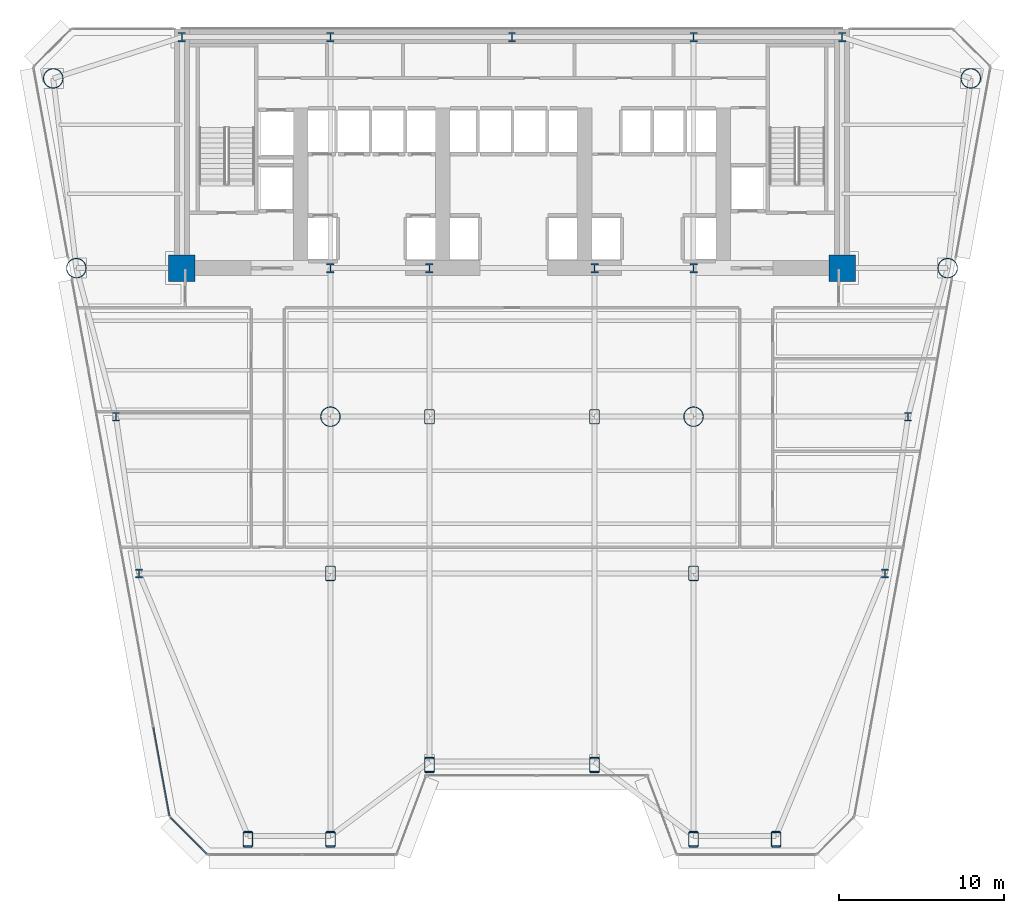
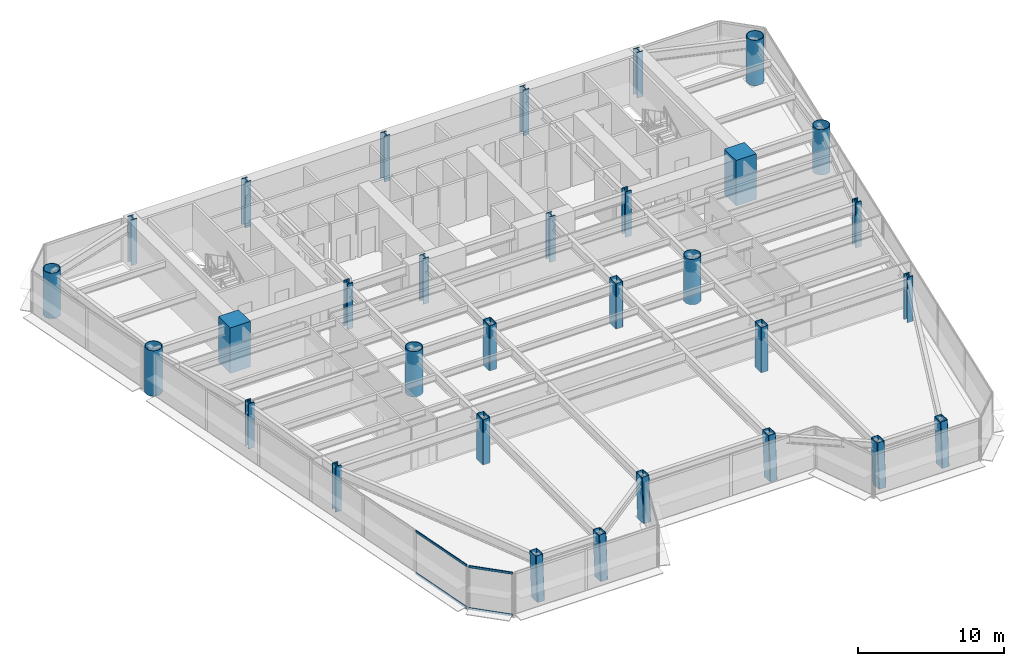
# One storey, part 1 of 14: 31 columns, 4 members, 2 elements without a shape of their own.
"""IFC4 building model written with IfcOpenShell, lengths in metres."""

import ifcopenshell
import ifcopenshell.guid

model = None  # the IFC model being written
_history = None  # IfcOwnerHistory: only IFC2X3 demands one
_inside = {}  # id of a spatial element -> (the spatial element, [elements in it])
_under = {}  # id of a project, library or spatial element -> (it, [spatial elements below it])
_declared = {}  # id of a project -> (the project, [libraries it declares])
_typed = {}  # id of a type object -> (the type object, [elements of that type])
_made_of = {}  # id of a material, layer set ... -> (it, [elements and type objects made of it])


def new_model(schema):
    """Start an empty IFC model of exactly this schema.

    Asked for "IFC4X3", IfcOpenShell would pick the latest addendum, in which some entities
    have other attributes; the version numbers below select the first issue.
    IFC2X3 requires an IfcOwnerHistory on every rooted entity: one is made here for all.
    """
    global model, _history
    if schema == "IFC4X3":
        model = ifcopenshell.file(schema_version=(4, 3, 0, 0))
    else:
        model = ifcopenshell.file(schema=schema)
    _inside.clear()
    _under.clear()
    _declared.clear()
    _typed.clear()
    _made_of.clear()
    _history = None
    if model.schema == "IFC2X3":
        org = make("IfcOrganization", Name="unknown")
        user = make(
            "IfcPersonAndOrganization",
            ThePerson=make("IfcPerson", FamilyName="unknown"),
            TheOrganization=org,
        )
        app = make(
            "IfcApplication",
            ApplicationDeveloper=org,
            Version="unknown",
            ApplicationFullName="unknown",
            ApplicationIdentifier="unknown",
        )
        _history = make(
            "IfcOwnerHistory",
            OwningUser=user,
            OwningApplication=app,
            ChangeAction="ADDED",
            CreationDate=0,
        )
    return model


def make(cls, **values):
    """One entity of the class cls with the attributes given. An attribute that is None is left unset."""
    return model.create_entity(
        cls, **{name: value for name, value in values.items() if value is not None}
    )


def rooted(cls, **values):
    """An entity with a GlobalId (a new one), such as an element, a storey or a relation."""
    return make(cls, GlobalId=ifcopenshell.guid.new(), OwnerHistory=_history, **values)


def si_unit(unit_type, name, prefix=None):
    """IfcSIUnit, for example si_unit("LENGTHUNIT", "METRE", prefix="MILLI")."""
    return make("IfcSIUnit", UnitType=unit_type, Prefix=prefix, Name=name)


def assignment(units):
    """IfcUnitAssignment: the units of a project."""
    return None if units is None else make("IfcUnitAssignment", Units=units)


def point(xyz):
    """IfcCartesianPoint."""
    return None if xyz is None else make("IfcCartesianPoint", Coordinates=xyz)


def direction(xyz):
    """IfcDirection."""
    return None if xyz is None else make("IfcDirection", DirectionRatios=xyz)


def frame(location, z_axis=None, x_axis=None):
    """IfcAxis2Placement3D, a coordinate frame: its origin and axes. An axis left out is left unset."""
    return make(
        "IfcAxis2Placement3D",
        Location=point(location),
        Axis=direction(z_axis),
        RefDirection=direction(x_axis),
    )


def frame_2d(location, x_axis=None):
    """IfcAxis2Placement2D, a coordinate frame in the plane: its origin and x axis."""
    return make(
        "IfcAxis2Placement2D", Location=point(location), RefDirection=direction(x_axis)
    )


def origin():
    """The frame at (0, 0, 0) with its axes left unset."""
    return frame((0.0, 0.0, 0.0))


def origin_2d():
    """The frame at (0, 0) in the plane with its x axis left unset."""
    return frame_2d((0.0, 0.0))


def place(relative_to, where):
    """IfcLocalPlacement: puts the frame where relative to a parent placement (None: the world)."""
    return make(
        "IfcLocalPlacement", PlacementRelTo=relative_to, RelativePlacement=where
    )


def context(
    kind, dimensions, precision=None, world=None, true_north=None, identifier=None
):
    """IfcGeometricRepresentationContext, for example the 3D "Model" context."""
    return make(
        "IfcGeometricRepresentationContext",
        ContextIdentifier=identifier,
        ContextType=kind,
        CoordinateSpaceDimension=dimensions,
        Precision=precision,
        WorldCoordinateSystem=world,
        TrueNorth=true_north,
    )


def subcontext(parent, identifier, kind, view, scale=None):
    """IfcGeometricRepresentationSubContext, for example "Body" below "Model"."""
    return make(
        "IfcGeometricRepresentationSubContext",
        ContextIdentifier=identifier,
        ContextType=kind,
        ParentContext=parent,
        TargetScale=scale,
        TargetView=view,
    )


def project(units=None, contexts=None):
    """IfcProject with its units and contexts."""
    return rooted(
        "IfcProject",
        Name="project",
        RepresentationContexts=contexts,
        UnitsInContext=assignment(units),
    )


def spatial(cls, under=None, at=None, **own):
    """A site, building, storey or space (cls), placed at a placement, below another one or the project."""
    s = rooted(cls, ObjectPlacement=at, **own)
    if under is not None:
        _under.setdefault(under.id(), (under, []))[1].append(s)
    return s


def profile(cls, at=None, kind="AREA", **sizes):
    """A parametric profile (cls). Its sizes go by their IFC names, for example OverallWidth=200.0."""
    return make(cls, ProfileType=kind, Position=at, **sizes)


def rectangle(**sizes):
    """IfcRectangleProfileDef."""
    return profile("IfcRectangleProfileDef", **sizes)


def hollow_rectangle(**sizes):
    """IfcRectangleHollowProfileDef."""
    return profile("IfcRectangleHollowProfileDef", **sizes)


def hollow_circle(**sizes):
    """IfcCircleHollowProfileDef."""
    return profile("IfcCircleHollowProfileDef", **sizes)


def i_section(**sizes):
    """IfcIShapeProfileDef."""
    return profile("IfcIShapeProfileDef", **sizes)


def extrude(swept, where, along, depth):
    """IfcExtrudedAreaSolid: the profile swept, set in the frame where, extruded along a direction by depth."""
    return make(
        "IfcExtrudedAreaSolid",
        SweptArea=swept,
        Position=where,
        ExtrudedDirection=direction(along),
        Depth=depth,
    )


def shape(context_of_items, identifier, shape_type, items):
    """IfcShapeRepresentation: the items that make up one representation, for example the "Body"."""
    return make(
        "IfcShapeRepresentation",
        ContextOfItems=context_of_items,
        RepresentationIdentifier=identifier,
        RepresentationType=shape_type,
        Items=items,
    )


def source(mapping_origin, context_of_items, identifier, shape_type, items):
    """IfcRepresentationMap: a shape defined once, which mapped items show again and again."""
    return make(
        "IfcRepresentationMap",
        MappingOrigin=mapping_origin,
        MappedRepresentation=shape(context_of_items, identifier, shape_type, items),
    )


def transform(
    local_origin,
    x_axis=None,
    y_axis=None,
    z_axis=None,
    scale=None,
    scale2=None,
    scale3=None,
    uniform=True,
):
    """IfcCartesianTransformationOperator3D, or its non-uniform kind. x_axis, y_axis, z_axis: its Axis1, 2, 3."""
    if uniform:
        return make(
            "IfcCartesianTransformationOperator3D",
            Axis1=direction(x_axis),
            Axis2=direction(y_axis),
            LocalOrigin=point(local_origin),
            Scale=scale,
            Axis3=direction(z_axis),
        )
    return make(
        "IfcCartesianTransformationOperator3DnonUniform",
        Axis1=direction(x_axis),
        Axis2=direction(y_axis),
        LocalOrigin=point(local_origin),
        Scale=scale,
        Axis3=direction(z_axis),
        Scale2=scale2,
        Scale3=scale3,
    )


def mapped(mapping_source, mapping_target):
    """IfcMappedItem: shows the shape of a source again, moved by a transform."""
    return make(
        "IfcMappedItem", MappingSource=mapping_source, MappingTarget=mapping_target
    )


def material(Name=None, Category=None):
    """IfcMaterial."""
    return make("IfcMaterial", Name=Name, Category=Category)


def layer(
    of_material, thickness, ventilated=None, Name=None, Category=None, Priority=None
):
    """IfcMaterialLayer: one layer of a wall or slab, of a material (None: an air gap)."""
    return make(
        "IfcMaterialLayer",
        Material=of_material,
        LayerThickness=thickness,
        IsVentilated=ventilated,
        Name=Name,
        Category=Category,
        Priority=Priority,
    )


def layer_set(layers, Name=None):
    """IfcMaterialLayerSet."""
    return make("IfcMaterialLayerSet", MaterialLayers=layers, LayerSetName=Name)


def material_profile(
    of_material, cross_section, Name=None, Category=None, Priority=None
):
    """IfcMaterialProfile: a cross section and its material."""
    return make(
        "IfcMaterialProfile",
        Name=Name,
        Material=of_material,
        Profile=cross_section,
        Priority=Priority,
        Category=Category,
    )


def profile_set(profiles, Name=None, composite=None):
    """IfcMaterialProfileSet."""
    return make(
        "IfcMaterialProfileSet",
        Name=Name,
        MaterialProfiles=profiles,
        CompositeProfile=composite,
    )


def made_of(thing, what):
    """Note that an element or type object is made of a material, layer set ...; save() writes the relation."""
    if what is not None:
        _made_of.setdefault(what.id(), (what, []))[1].append(thing)
    return thing


def type_object(cls, material=None, **own):
    """A type object (cls), such as IfcWallType, which elements share."""
    return made_of(rooted(cls, **own), material)


def element(
    cls,
    number,
    at=None,
    inside=None,
    cuts=None,
    type_object=None,
    material=None,
    context=None,
    identifier="Body",
    shape_type=None,
    held_by="IfcProductDefinitionShape",
    body=None,
    shapes=None,
    **own,
):
    """One element of the class cls, such as IfcWall. Its Tag is "e" and its number.

    at: its placement. inside: the storey or other place that contains it. cuts: it is an
    opening in that element (IfcRelVoidsElement). A single representation is given by context,
    identifier, shape_type and body (its items); several are given by shapes. held_by: the class
    of the entity that holds the representations. save() writes the other relations.
    """
    e = rooted(cls, Tag="e%d" % number, ObjectPlacement=at, **own)
    if body is not None:
        shapes = [shape(context, identifier, shape_type, body)]
    if shapes is not None:
        e.Representation = make(held_by, Representations=shapes)
    if inside is not None:
        _inside.setdefault(inside.id(), (inside, []))[1].append(e)
    if cuts is not None:
        rooted(
            "IfcRelVoidsElement", RelatingBuildingElement=cuts, RelatedOpeningElement=e
        )
    if type_object is not None:
        _typed.setdefault(type_object.id(), (type_object, []))[1].append(e)
    return made_of(e, material)


def aggregate(whole, parts):
    """IfcRelAggregates: a whole, such as a stair, and the parts it consists of."""
    return rooted("IfcRelAggregates", RelatingObject=whole, RelatedObjects=parts)


def save(model, path):
    """Write the relations noted so far, then the file.

    IfcRelAggregates (storeys below a building ...), IfcRelContainedInSpatialStructure (elements
    in a storey), IfcRelDefinesByType, IfcRelAssociatesMaterial and IfcRelDeclares: one each for
    every whole, place, type object, material and project.
    """
    for whole, parts in _under.values():
        aggregate(whole, parts)
    for where, things in _inside.values():
        rooted(
            "IfcRelContainedInSpatialStructure",
            RelatedElements=things,
            RelatingStructure=where,
        )
    for kind, things in _typed.values():
        rooted("IfcRelDefinesByType", RelatedObjects=things, RelatingType=kind)
    for what, things in _made_of.values():
        rooted("IfcRelAssociatesMaterial", RelatedObjects=things, RelatingMaterial=what)
    for by, libraries in _declared.values():
        rooted("IfcRelDeclares", RelatingContext=by, RelatedDefinitions=libraries)
    model.write(path)


model = new_model("IFC4")

# Units and contexts
model_context = context("Model", 3, precision=1e-05, world=origin(), true_north=direction((0.0, 1.0)))
body_context = subcontext(model_context, "Body", "Model", "MODEL_VIEW")
ifc_project = project(units=[si_unit("LENGTHUNIT", "METRE"), si_unit("AREAUNIT", "SQUARE_METRE"), si_unit("VOLUMEUNIT", "CUBIC_METRE"), si_unit("PLANEANGLEUNIT", "RADIAN"), si_unit("MASSUNIT", "GRAM", prefix="KILO")], contexts=[model_context])

# Site, building, storey
site_placement = place(None, origin())
site = spatial("IfcSite", under=ifc_project, at=site_placement, CompositionType="ELEMENT")
building_placement = place(site_placement, origin())
building = spatial("IfcBuilding", under=site, at=building_placement, Name="Vaeldorn Concourse Tower", CompositionType="ELEMENT")
storey_placement = place(building_placement, frame((0.0, 0.0, 34.0)))
storey = spatial("IfcBuildingStorey", under=building, at=storey_placement, Name="L08", CompositionType="ELEMENT", Elevation=34.0)

# Columns
ifc_material_1 = material(Name="Concrete C60/75", Category="concrete")
ifc_material_profile_1 = material_profile(ifc_material_1, rectangle(XDim=1.60009765625, YDim=1.60009765625, at=origin_2d()), Name="RC 1600x1600")
ifc_profile_set_1 = profile_set([ifc_material_profile_1], Name="Concrete C60/75")
column_type_1 = type_object("IfcColumnType", Name="COL-RC1600", PredefinedType="COLUMN", material=ifc_profile_set_1)
shared_shape_1 = source(origin(), body_context, "Body", "SweptSolid", [
    extrude(rectangle(XDim=1.60009765625, YDim=1.60009765625, at=origin_2d()), origin(), (0.0, 0.0, 1.0), 3.800048828125),
])
for number, where, z_axis, x_axis, name in (
    (1, (14.0, 36.5, 0.0), (0.0, 0.0, 1.0), (1.0, 0.0, 0.0), "Column C-FC1 L08"),
    (2, (54.0, 36.5, 0.0), (0.0, 0.0, 1.0), (1.0, 0.0, 0.0), "Column C-FC6 L08"),
):
    element("IfcColumn", number, at=place(storey_placement, frame(where, z_axis=z_axis, x_axis=x_axis)), inside=storey, type_object=column_type_1, Name=name, PredefinedType="COLUMN", context=body_context, shape_type="MappedRepresentation", body=[
        mapped(shared_shape_1, transform((0.0, 0.0, 0.0), scale=1.0)),
    ])
ifc_material_2 = material(Name="Steel S460", Category="steel")
ifc_material_profile_2 = material_profile(ifc_material_2, i_section(OverallWidth=0.4541015625, OverallDepth=0.569091796875, WebThickness=0.077880859375, FlangeThickness=0.080078125, FilletRadius=0.014892578125, at=origin_2d()), Name="HD 400x1086")
ifc_profile_set_2 = profile_set([ifc_material_profile_2], Name="Steel S460")
column_type_2 = type_object("IfcColumnType", Name="COL-HD1086", PredefinedType="COLUMN", material=ifc_profile_set_2)
shared_shape_2 = source(origin(), body_context, "Body", "SweptSolid", [
    extrude(i_section(OverallWidth=0.4541015625, OverallDepth=0.569091796875, WebThickness=0.077880859375, FlangeThickness=0.080078125, FilletRadius=0.014892578125, at=origin_2d()), origin(), (0.0, 0.0, 1.0), 3.800048828125),
])
for number, where, z_axis, x_axis, name in (
    (3, (23.0, 36.5, 0.0), (0.0, 0.0, 1.0), (1.0, 0.0, 0.0), "Column C-FC2 L08"),
    (4, (29.0, 36.5, 0.0), (0.0, 0.0, 1.0), (1.0, 0.0, 0.0), "Column C-FC3 L08"),
    (5, (39.0, 36.5, 0.0), (0.0, 0.0, 1.0), (1.0, 0.0, 0.0), "Column C-FC4 L08"),
    (6, (45.0, 36.5, 0.0), (0.0, 0.0, 1.0), (1.0, 0.0, 0.0), "Column C-FC5 L08"),
    (7, (14.0, 50.5, 0.0), (0.0, 0.0, 1.0), (1.0, 0.0, 0.0), "Column C-HC1 L08"),
    (8, (23.0, 50.5, 0.0), (0.0, 0.0, 1.0), (1.0, 0.0, 0.0), "Column C-HC2 L08"),
    (9, (34.0, 50.5, 0.0), (0.0, 0.0, 1.0), (1.0, 0.0, 0.0), "Column C-HC3 L08"),
    (10, (45.0, 50.5, 0.0), (0.0, 0.0, 1.0), (1.0, 0.0, 0.0), "Column C-HC4 L08"),
    (11, (54.0, 50.5, 0.0), (0.0, 0.0, 1.0), (1.0, 0.0, 0.0), "Column C-HC5 L08"),
):
    element("IfcColumn", number, at=place(storey_placement, frame(where, z_axis=z_axis, x_axis=x_axis)), inside=storey, type_object=column_type_2, Name=name, PredefinedType="COLUMN", context=body_context, shape_type="MappedRepresentation", body=[
        mapped(shared_shape_2, transform((0.0, 0.0, 0.0), scale=1.0)),
    ])
ifc_material_profile_3 = material_profile(ifc_material_2, hollow_circle(Radius=0.609619140625, WallThickness=0.050048828125, at=origin_2d()), Name="CHS 1219x50")
ifc_profile_set_3 = profile_set([ifc_material_profile_3], Name="Steel S460")
column_type_3 = type_object("IfcColumnType", Name="COL-CHS1219", PredefinedType="COLUMN", material=ifc_profile_set_3)
shared_shape_3 = source(origin(), body_context, "Body", "SweptSolid", [
    extrude(hollow_circle(Radius=0.609619140625, WallThickness=0.050048828125, at=origin_2d()), origin(), (0.0, 0.0, 1.0), 3.800048828125),
])
for number, where, z_axis, x_axis, name in (
    (12, (6.199951171875, 48.0, 0.0), (0.0, 0.0, 1.0), (1.0, 0.0, 0.0), "Column C-NW1 L08"),
    (13, (7.60009765625, 36.5, 0.0), (0.0, 0.0, 1.0), (1.0, 0.0, 0.0), "Column C-NW2 L08"),
    (14, (61.800048828125, 48.0, 0.0), (0.0, 0.0, 1.0), (1.0, 0.0, 0.0), "Column C-NE1 L08"),
    (15, (60.39990234375, 36.5, 0.0), (0.0, 0.0, 1.0), (1.0, 0.0, 0.0), "Column C-NE2 L08"),
    (16, (23.0, 27.5, 0.0), (0.0, 0.0, 1.0), (1.0, 0.0, 0.0), "Column C-TW1 L08"),
    (17, (45.0, 27.5, 0.0), (0.0, 0.0, 1.0), (1.0, 0.0, 0.0), "Column C-TW4 L08"),
):
    element("IfcColumn", number, at=place(storey_placement, frame(where, z_axis=z_axis, x_axis=x_axis)), inside=storey, type_object=column_type_3, Name=name, PredefinedType="COLUMN", context=body_context, shape_type="MappedRepresentation", body=[
        mapped(shared_shape_3, transform((0.0, 0.0, 0.0), scale=1.0)),
    ])
ifc_material_profile_4 = material_profile(ifc_material_2, i_section(OverallWidth=0.44189453125, OverallDepth=0.531005859375, WebThickness=0.06494140625, FlangeThickness=0.075927734375, FilletRadius=0.014892578125, at=origin_2d()), Name="HD 400x900")
ifc_profile_set_4 = profile_set([ifc_material_profile_4], Name="Steel S460")
column_type_4 = type_object("IfcColumnType", Name="COL-HD900F", PredefinedType="COLUMN", material=ifc_profile_set_4)
shared_shape_4 = source(origin(), body_context, "Body", "SweptSolid", [
    extrude(i_section(OverallWidth=0.44189453125, OverallDepth=0.531005859375, WebThickness=0.06494140625, FlangeThickness=0.075927734375, FilletRadius=0.014892578125, at=origin_2d()), origin(), (0.0, 0.0, 1.0), 3.800048828125),
])
for number, where, z_axis, x_axis, name in (
    (18, (10.0, 27.5, 0.0), (0.0, 0.0, 1.0), (1.0, 0.0, 0.0), "Column C-FLW1 L08"),
    (19, (11.39990234375, 18.0, 0.0), (0.0, 0.0, 1.0), (1.0, 0.0, 0.0), "Column C-FLW2 L08"),
    (20, (58.0, 27.5, 0.0), (0.0, 0.0, 1.0), (1.0, 0.0, 0.0), "Column C-FLE1 L08"),
    (21, (56.60009765625, 18.0, 0.0), (0.0, 0.0, 1.0), (1.0, 0.0, 0.0), "Column C-FLE2 L08"),
):
    element("IfcColumn", number, at=place(storey_placement, frame(where, z_axis=z_axis, x_axis=x_axis)), inside=storey, type_object=column_type_4, Name=name, PredefinedType="COLUMN", context=body_context, shape_type="MappedRepresentation", body=[
        mapped(shared_shape_4, transform((0.0, 0.0, 0.0), scale=1.0)),
    ])
ifc_material_profile_5 = material_profile(ifc_material_2, hollow_rectangle(XDim=0.60009765625, YDim=0.89990234375, WallThickness=0.0400390625, InnerFilletRadius=0.0400390625, OuterFilletRadius=0.080078125, at=origin_2d()), Name="RHS 900x600x40")
ifc_profile_set_5 = profile_set([ifc_material_profile_5], Name="Steel S460")
column_type_5 = type_object("IfcColumnType", Name="COL-RHS900", PredefinedType="COLUMN", material=ifc_profile_set_5)
shared_shape_5 = source(origin(), body_context, "Body", "SweptSolid", [
    extrude(hollow_rectangle(XDim=0.60009765625, YDim=0.89990234375, WallThickness=0.0400390625, InnerFilletRadius=0.0400390625, OuterFilletRadius=0.080078125, at=origin_2d()), origin(), (0.0, 0.0, 1.0), 3.800048828125),
])
for number, where, z_axis, x_axis, name in (
    (22, (29.0, 27.5, 0.0), (0.0, 0.0, 1.0), (1.0, 0.0, 0.0), "Column C-TW2 L08"),
    (23, (39.0, 27.5, 0.0), (0.0, 0.0, 1.0), (1.0, 0.0, 0.0), "Column C-TW3 L08"),
    (24, (23.0, 18.0, 0.0), (0.0, 0.0, 1.0), (1.0, 0.0, 0.0), "Column C-TW5 L08"),
    (25, (45.0, 18.0, 0.0), (0.0, 0.0, 1.0), (1.0, 0.0, 0.0), "Column C-TW6 L08"),
):
    element("IfcColumn", number, at=place(storey_placement, frame(where, z_axis=z_axis, x_axis=x_axis)), inside=storey, type_object=column_type_5, Name=name, PredefinedType="COLUMN", context=body_context, shape_type="MappedRepresentation", body=[
        mapped(shared_shape_5, transform((0.0, 0.0, 0.0), scale=1.0)),
    ])
shared_shape_6 = source(origin(), body_context, "Body", "SweptSolid", [
    extrude(hollow_rectangle(XDim=0.60009765625, YDim=0.89990234375, WallThickness=0.0400390625, InnerFilletRadius=0.0400390625, OuterFilletRadius=0.080078125, at=origin_2d()), origin(), (0.0, 0.0, 1.0), 3.74365234375),
])
for number, where, z_axis, x_axis, name in (
    (26, (18.0, 1.856201171875, 0.031982421875), (0.0, 0.063908817043, 0.997955742057), (-1.0, 0.0, 0.0), "Column C-SF1 L08"),
    (27, (23.0, 1.856201171875, 0.031982421875), (0.0, 0.063908817043, 0.997955742057), (-1.0, 0.0, 0.0), "Column C-SF2 L08"),
    (28, (29.0, 6.356201171875, 0.031982421875), (0.0, 0.063908817043, 0.997955742057), (-1.0, 0.0, 0.0), "Column C-SF3 L08"),
    (29, (39.0, 6.356201171875, 0.031982421875), (0.0, 0.063908817043, 0.997955742057), (-1.0, 0.0, 0.0), "Column C-SF4 L08"),
    (30, (45.0, 1.856201171875, 0.031982421875), (0.0, 0.063908817043, 0.997955742057), (-1.0, 0.0, 0.0), "Column C-SF5 L08"),
    (31, (50.0, 1.856201171875, 0.031982421875), (0.0, 0.063908817043, 0.997955742057), (-1.0, 0.0, 0.0), "Column C-SF6 L08"),
):
    element("IfcColumn", number, at=place(storey_placement, frame(where, z_axis=z_axis, x_axis=x_axis)), inside=storey, type_object=column_type_5, Name=name, PredefinedType="COLUMN", context=body_context, shape_type="MappedRepresentation", body=[
        mapped(shared_shape_6, transform((0.0, 0.0, 0.0), scale=1.0)),
    ])

# Curtain wall, members
ifc_material_3 = material(Name="Anodised Bronze Aluminium", Category="aluminium")
ifc_layer = layer(ifc_material_3, 0.219970703125)
ifc_layer_set = layer_set([ifc_layer], Name="Anodised Bronze Aluminium")
curtain_wall_type = type_object("IfcCurtainWallType", Name="CW-SYS-01", PredefinedType="NOTDEFINED", material=ifc_layer_set)
curtain_wall_1_placement = place(storey_placement, origin())
curtain_wall_1 = element("IfcCurtainWall", 32, at=curtain_wall_1_placement, inside=storey, type_object=curtain_wall_type, Name="Unitised Curtain Wall CW-L08-E12-1", PredefinedType="NOTDEFINED")
ifc_material_profile_6 = material_profile(ifc_material_3, rectangle(XDim=0.074951171875, YDim=0.179931640625, at=origin_2d()), Name="CWT 75x180")
ifc_profile_set_6 = profile_set([ifc_material_profile_6], Name="Anodised Bronze Aluminium")
member_type = type_object("IfcMemberType", Name="CWT-BRONZE-180", PredefinedType="USERDEFINED", material=ifc_profile_set_6)
shared_shape_7 = source(origin(), body_context, "Body", "SweptSolid", [
    extrude(rectangle(XDim=0.074951171875, YDim=0.179931640625, at=origin_2d()), origin(), (0.0, 0.0, 1.0), 3.102783203125),
])
member_1_placement = place(storey_placement, frame((13.310302734375, 3.203369140625, 0.03759765625), z_axis=(0.707067437368, -0.707146122816, 0.0), x_axis=(0.707146122816, 0.707067437368, 0.0)))
member_1 = element("IfcMember", 33, at=member_1_placement, type_object=member_type, Name="CW-01 transom 1.1", ObjectType="TRANSOM", PredefinedType="USERDEFINED", context=body_context, shape_type="MappedRepresentation", body=[
    mapped(shared_shape_7, transform((0.0, 0.0, 0.0), scale=1.0)),
])
member_2_placement = place(storey_placement, frame((13.310302734375, 3.203369140625, 3.54248046875), z_axis=(0.707067437368, -0.707146122816, 0.0), x_axis=(0.707146122816, 0.707067437368, 0.0)))
member_2 = element("IfcMember", 34, at=member_2_placement, type_object=member_type, Name="CW-01 transom 1.2", ObjectType="TRANSOM", PredefinedType="USERDEFINED", context=body_context, shape_type="MappedRepresentation", body=[
    mapped(shared_shape_7, transform((0.0, 0.0, 0.0), scale=1.0)),
])
aggregate(curtain_wall_1, [member_1, member_2])

curtain_wall_2_placement = place(storey_placement, origin())
curtain_wall_2 = element("IfcCurtainWall", 35, at=curtain_wall_2_placement, inside=storey, type_object=curtain_wall_type, Name="Unitised Curtain Wall CW-L08-E11-2", PredefinedType="NOTDEFINED")
shared_shape_8 = source(origin(), body_context, "Body", "SweptSolid", [
    extrude(rectangle(XDim=0.074951171875, YDim=0.179931640625, at=origin_2d()), origin(), (0.0, 0.0, 1.0), 5.413818359375),
])
member_3_placement = place(storey_placement, frame((12.27587890625, 8.65673828125, 0.03759765625), z_axis=(0.178802101799, -0.983885058527, 0.0), x_axis=(0.983885058527, 0.178802101799, 0.0)))
member_3 = element("IfcMember", 36, at=member_3_placement, type_object=member_type, Name="CW-01 transom 6.1", ObjectType="TRANSOM", PredefinedType="USERDEFINED", context=body_context, shape_type="MappedRepresentation", body=[
    mapped(shared_shape_8, transform((0.0, 0.0, 0.0), scale=1.0)),
])
member_4_placement = place(storey_placement, frame((12.27587890625, 8.65673828125, 3.54248046875), z_axis=(0.178802101799, -0.983885058527, 0.0), x_axis=(0.983885058527, 0.178802101799, 0.0)))
member_4 = element("IfcMember", 37, at=member_4_placement, type_object=member_type, Name="CW-01 transom 6.2", ObjectType="TRANSOM", PredefinedType="USERDEFINED", context=body_context, shape_type="MappedRepresentation", body=[
    mapped(shared_shape_8, transform((0.0, 0.0, 0.0), scale=1.0)),
])
aggregate(curtain_wall_2, [member_3, member_4])

save(model, "model.ifc")
